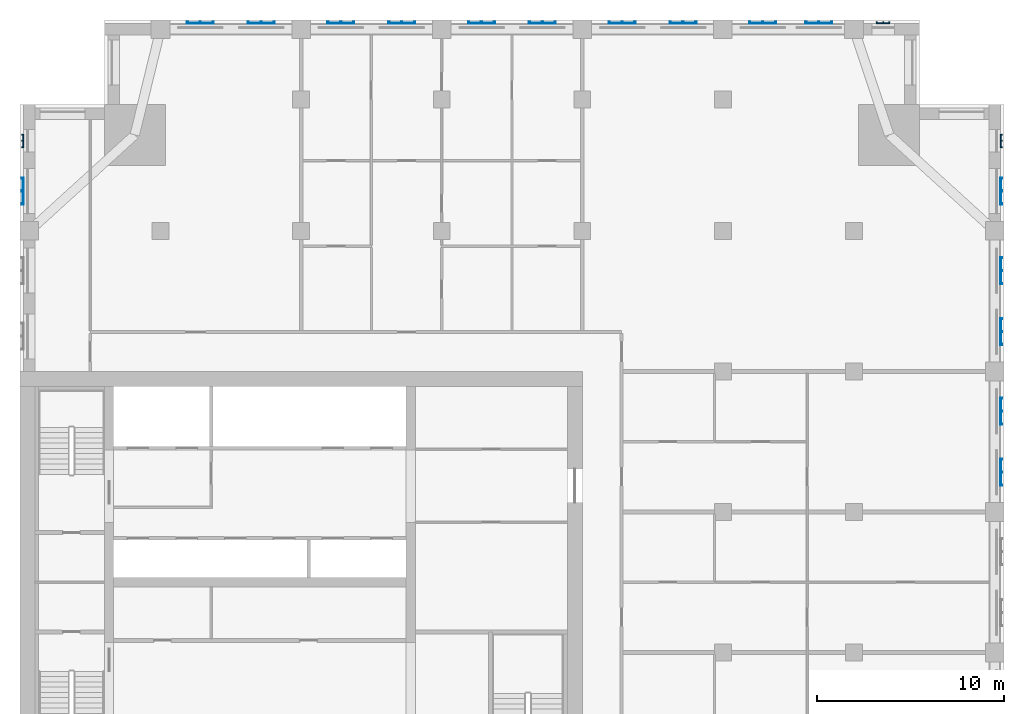
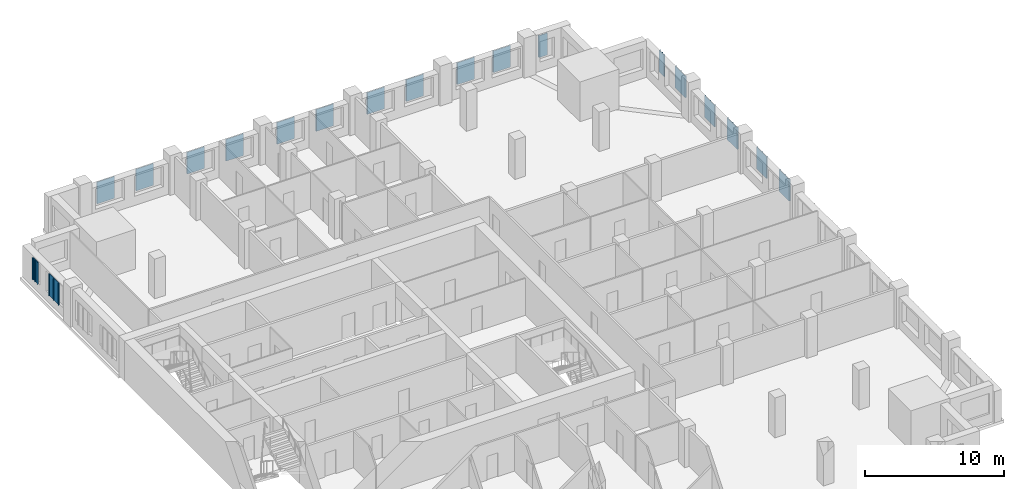
# One storey, part 5 of 14: 19 plates.
"""IFC4 building model written with IfcOpenShell, lengths in metres."""

from ifc_helpers import new_model, si_unit, direction, frame, origin, place, context, subcontext, project, spatial, polyline, outline, extrude, material, layer, layer_set, type_object, element, save


model = new_model("IFC4")

# Units and contexts
model_context = context("Model", 3, precision=1e-05, world=origin(), true_north=direction((0.0, 1.0)))
body_context = subcontext(model_context, "Body", "Model", "MODEL_VIEW")
ifc_project = project(units=[si_unit("LENGTHUNIT", "METRE"), si_unit("AREAUNIT", "SQUARE_METRE"), si_unit("VOLUMEUNIT", "CUBIC_METRE"), si_unit("PLANEANGLEUNIT", "RADIAN"), si_unit("MASSUNIT", "GRAM", prefix="KILO")], contexts=[model_context])

# Site, building, storey
site_placement = place(None, origin())
site = spatial("IfcSite", under=ifc_project, at=site_placement, CompositionType="ELEMENT")
building_placement = place(site_placement, origin())
building = spatial("IfcBuilding", under=site, at=building_placement, Name="Tamorin Gate", CompositionType="ELEMENT")
storey_placement = place(building_placement, frame((0.0, 0.0, 200.199951171875)))
storey = spatial("IfcBuildingStorey", under=building, at=storey_placement, Name="L49", CompositionType="ELEMENT", Elevation=200.199951171875)

# Plates
ifc_material = material(Name="Perforated pale aluminium sheet", Category="aluminium")
ifc_layer_1 = layer(ifc_material, 0.0400390625)
ifc_layer_set_1 = layer_set([ifc_layer_1], Name="Pale metal solar screen 1440")
plate_type_1 = type_object("IfcPlateType", Name="Pale metal solar screen 1440", PredefinedType="SHEET", material=ifc_layer_set_1)
plate_1_placement = place(storey_placement, frame((0.0, 0.0, 0.737548828125)))
element("IfcPlate", 1, at=plate_1_placement, inside=storey, type_object=plate_type_1, Name="Perforated solar screen", PredefinedType="SHEET", context=body_context, shape_type="SweptSolid", body=[
    extrude(outline(polyline([(82.340087890625, 76.405029296875), (82.300048828125, 76.405029296875), (82.300048828125, 76.465087890625), (82.300048828125, 77.094970703125), (82.300048828125, 77.155029296875), (82.300048828125, 77.784912109375), (82.300048828125, 77.844970703125), (82.340087890625, 77.844970703125), (82.39990234375, 77.844970703125), (82.39990234375, 77.784912109375), (82.340087890625, 77.784912109375), (82.340087890625, 77.155029296875), (82.39990234375, 77.155029296875), (82.39990234375, 77.094970703125), (82.340087890625, 77.094970703125), (82.340087890625, 76.465087890625), (82.39990234375, 76.465087890625), (82.39990234375, 76.405029296875), (82.340087890625, 76.405029296875)])), origin(), (0.0, 0.0, 1.0), 1.925048828125),
])
plate_2_placement = place(storey_placement, frame((0.0, 0.0, 0.737548828125)))
element("IfcPlate", 2, at=plate_2_placement, inside=storey, type_object=plate_type_1, Name="Perforated solar screen", PredefinedType="SHEET", context=body_context, shape_type="SweptSolid", body=[
    extrude(outline(polyline([(82.340087890625, 79.655029296875), (82.300048828125, 79.655029296875), (82.300048828125, 79.715087890625), (82.300048828125, 80.344970703125), (82.300048828125, 80.405029296875), (82.300048828125, 81.034912109375), (82.300048828125, 81.094970703125), (82.340087890625, 81.094970703125), (82.39990234375, 81.094970703125), (82.39990234375, 81.034912109375), (82.340087890625, 81.034912109375), (82.340087890625, 80.405029296875), (82.39990234375, 80.405029296875), (82.39990234375, 80.344970703125), (82.340087890625, 80.344970703125), (82.340087890625, 79.715087890625), (82.39990234375, 79.715087890625), (82.39990234375, 79.655029296875), (82.340087890625, 79.655029296875)])), origin(), (0.0, 0.0, 1.0), 1.925048828125),
])
plate_3_placement = place(storey_placement, frame((0.0, 0.0, 0.737548828125)))
element("IfcPlate", 3, at=plate_3_placement, inside=storey, type_object=plate_type_1, Name="Perforated solar screen", PredefinedType="SHEET", context=body_context, shape_type="SweptSolid", body=[
    extrude(outline(polyline([(82.340087890625, 83.905029296875), (82.300048828125, 83.905029296875), (82.300048828125, 83.965087890625), (82.300048828125, 84.594970703125), (82.300048828125, 84.655029296875), (82.300048828125, 85.284912109375), (82.300048828125, 85.344970703125), (82.340087890625, 85.344970703125), (82.39990234375, 85.344970703125), (82.39990234375, 85.284912109375), (82.340087890625, 85.284912109375), (82.340087890625, 84.655029296875), (82.39990234375, 84.655029296875), (82.39990234375, 84.594970703125), (82.340087890625, 84.594970703125), (82.340087890625, 83.965087890625), (82.39990234375, 83.965087890625), (82.39990234375, 83.905029296875), (82.340087890625, 83.905029296875)])), origin(), (0.0, 0.0, 1.0), 1.925048828125),
])
plate_4_placement = place(storey_placement, frame((0.0, 0.0, 0.737548828125)))
element("IfcPlate", 4, at=plate_4_placement, inside=storey, type_object=plate_type_1, Name="Perforated solar screen", PredefinedType="SHEET", context=body_context, shape_type="SweptSolid", body=[
    extrude(outline(polyline([(82.340087890625, 87.155029296875), (82.300048828125, 87.155029296875), (82.300048828125, 87.215087890625), (82.300048828125, 87.844970703125), (82.300048828125, 87.905029296875), (82.300048828125, 88.534912109375), (82.300048828125, 88.594970703125), (82.340087890625, 88.594970703125), (82.39990234375, 88.594970703125), (82.39990234375, 88.534912109375), (82.340087890625, 88.534912109375), (82.340087890625, 87.905029296875), (82.39990234375, 87.905029296875), (82.39990234375, 87.844970703125), (82.340087890625, 87.844970703125), (82.340087890625, 87.215087890625), (82.39990234375, 87.215087890625), (82.39990234375, 87.155029296875), (82.340087890625, 87.155029296875)])), origin(), (0.0, 0.0, 1.0), 1.925048828125),
])
plate_5_placement = place(storey_placement, frame((0.0, 0.0, 0.737548828125)))
element("IfcPlate", 5, at=plate_5_placement, inside=storey, type_object=plate_type_1, Name="Perforated solar screen", PredefinedType="SHEET", context=body_context, shape_type="SweptSolid", body=[
    extrude(outline(polyline([(82.340087890625, 91.405029296875), (82.300048828125, 91.405029296875), (82.300048828125, 91.465087890625), (82.300048828125, 92.094970703125), (82.300048828125, 92.155029296875), (82.300048828125, 92.784912109375), (82.300048828125, 92.844970703125), (82.340087890625, 92.844970703125), (82.39990234375, 92.844970703125), (82.39990234375, 92.784912109375), (82.340087890625, 92.784912109375), (82.340087890625, 92.155029296875), (82.39990234375, 92.155029296875), (82.39990234375, 92.094970703125), (82.340087890625, 92.094970703125), (82.340087890625, 91.465087890625), (82.39990234375, 91.465087890625), (82.39990234375, 91.405029296875), (82.340087890625, 91.405029296875)])), origin(), (0.0, 0.0, 1.0), 1.925048828125),
])
plate_6_placement = place(storey_placement, frame((0.0, 0.0, 0.737548828125)))
element("IfcPlate", 6, at=plate_6_placement, inside=storey, type_object=plate_type_1, Name="Perforated solar screen", PredefinedType="SHEET", context=body_context, shape_type="SweptSolid", body=[
    extrude(outline(polyline([(70.344970703125, 101.090087890625), (70.344970703125, 101.050048828125), (70.284912109375, 101.050048828125), (69.655029296875, 101.050048828125), (69.594970703125, 101.050048828125), (68.965087890625, 101.050048828125), (68.905029296875, 101.050048828125), (68.905029296875, 101.090087890625), (68.905029296875, 101.14990234375), (68.965087890625, 101.14990234375), (68.965087890625, 101.090087890625), (69.594970703125, 101.090087890625), (69.594970703125, 101.14990234375), (69.655029296875, 101.14990234375), (69.655029296875, 101.090087890625), (70.284912109375, 101.090087890625), (70.284912109375, 101.14990234375), (70.344970703125, 101.14990234375), (70.344970703125, 101.090087890625)])), origin(), (0.0, 0.0, 1.0), 1.925048828125),
])
plate_7_placement = place(storey_placement, frame((0.0, 0.0, 0.737548828125)))
element("IfcPlate", 7, at=plate_7_placement, inside=storey, type_object=plate_type_1, Name="Perforated solar screen", PredefinedType="SHEET", context=body_context, shape_type="SweptSolid", body=[
    extrude(outline(polyline([(73.344970703125, 101.090087890625), (73.344970703125, 101.050048828125), (73.284912109375, 101.050048828125), (72.655029296875, 101.050048828125), (72.594970703125, 101.050048828125), (71.965087890625, 101.050048828125), (71.905029296875, 101.050048828125), (71.905029296875, 101.050048828125), (71.905029296875, 101.090087890625), (71.905029296875, 101.090087890625), (71.905029296875, 101.14990234375), (71.965087890625, 101.14990234375), (71.965087890625, 101.090087890625), (72.594970703125, 101.090087890625), (72.594970703125, 101.14990234375), (72.655029296875, 101.14990234375), (72.655029296875, 101.090087890625), (73.284912109375, 101.090087890625), (73.284912109375, 101.14990234375), (73.344970703125, 101.14990234375), (73.344970703125, 101.090087890625)])), origin(), (0.0, 0.0, 1.0), 1.925048828125),
])
plate_8_placement = place(storey_placement, frame((0.0, 0.0, 0.737548828125)))
element("IfcPlate", 8, at=plate_8_placement, inside=storey, type_object=plate_type_1, Name="Perforated solar screen", PredefinedType="SHEET", context=body_context, shape_type="SweptSolid", body=[
    extrude(outline(polyline([(62.844970703125, 101.090087890625), (62.844970703125, 101.050048828125), (62.784912109375, 101.050048828125), (62.155029296875, 101.050048828125), (62.094970703125, 101.050048828125), (61.465087890625, 101.050048828125), (61.405029296875, 101.050048828125), (61.405029296875, 101.090087890625), (61.405029296875, 101.14990234375), (61.465087890625, 101.14990234375), (61.465087890625, 101.090087890625), (62.094970703125, 101.090087890625), (62.094970703125, 101.14990234375), (62.155029296875, 101.14990234375), (62.155029296875, 101.090087890625), (62.784912109375, 101.090087890625), (62.784912109375, 101.14990234375), (62.844970703125, 101.14990234375), (62.844970703125, 101.090087890625)])), origin(), (0.0, 0.0, 1.0), 1.925048828125),
])
plate_9_placement = place(storey_placement, frame((0.0, 0.0, 0.737548828125)))
element("IfcPlate", 9, at=plate_9_placement, inside=storey, type_object=plate_type_1, Name="Perforated solar screen", PredefinedType="SHEET", context=body_context, shape_type="SweptSolid", body=[
    extrude(outline(polyline([(66.094970703125, 101.090087890625), (66.094970703125, 101.050048828125), (66.034912109375, 101.050048828125), (65.405029296875, 101.050048828125), (65.344970703125, 101.050048828125), (64.715087890625, 101.050048828125), (64.655029296875, 101.050048828125), (64.655029296875, 101.090087890625), (64.655029296875, 101.14990234375), (64.715087890625, 101.14990234375), (64.715087890625, 101.090087890625), (65.344970703125, 101.090087890625), (65.344970703125, 101.14990234375), (65.405029296875, 101.14990234375), (65.405029296875, 101.090087890625), (66.034912109375, 101.090087890625), (66.034912109375, 101.14990234375), (66.094970703125, 101.14990234375), (66.094970703125, 101.090087890625)])), origin(), (0.0, 0.0, 1.0), 1.925048828125),
])
plate_10_placement = place(storey_placement, frame((0.0, 0.0, 0.737548828125)))
element("IfcPlate", 10, at=plate_10_placement, inside=storey, type_object=plate_type_1, Name="Perforated solar screen", PredefinedType="SHEET", context=body_context, shape_type="SweptSolid", body=[
    extrude(outline(polyline([(55.344970703125, 101.090087890625), (55.344970703125, 101.050048828125), (55.284912109375, 101.050048828125), (54.655029296875, 101.050048828125), (54.594970703125, 101.050048828125), (53.965087890625, 101.050048828125), (53.905029296875, 101.050048828125), (53.905029296875, 101.090087890625), (53.905029296875, 101.14990234375), (53.965087890625, 101.14990234375), (53.965087890625, 101.090087890625), (54.594970703125, 101.090087890625), (54.594970703125, 101.14990234375), (54.655029296875, 101.14990234375), (54.655029296875, 101.090087890625), (55.284912109375, 101.090087890625), (55.284912109375, 101.14990234375), (55.344970703125, 101.14990234375), (55.344970703125, 101.090087890625)])), origin(), (0.0, 0.0, 1.0), 1.925048828125),
])
plate_11_placement = place(storey_placement, frame((0.0, 0.0, 0.737548828125)))
element("IfcPlate", 11, at=plate_11_placement, inside=storey, type_object=plate_type_1, Name="Perforated solar screen", PredefinedType="SHEET", context=body_context, shape_type="SweptSolid", body=[
    extrude(outline(polyline([(58.594970703125, 101.090087890625), (58.594970703125, 101.050048828125), (58.534912109375, 101.050048828125), (57.905029296875, 101.050048828125), (57.844970703125, 101.050048828125), (57.215087890625, 101.050048828125), (57.155029296875, 101.050048828125), (57.155029296875, 101.090087890625), (57.155029296875, 101.14990234375), (57.215087890625, 101.14990234375), (57.215087890625, 101.090087890625), (57.844970703125, 101.090087890625), (57.844970703125, 101.14990234375), (57.905029296875, 101.14990234375), (57.905029296875, 101.090087890625), (58.534912109375, 101.090087890625), (58.534912109375, 101.14990234375), (58.594970703125, 101.14990234375), (58.594970703125, 101.090087890625)])), origin(), (0.0, 0.0, 1.0), 1.925048828125),
])
plate_12_placement = place(storey_placement, frame((0.0, 0.0, 0.737548828125)))
element("IfcPlate", 12, at=plate_12_placement, inside=storey, type_object=plate_type_1, Name="Perforated solar screen", PredefinedType="SHEET", context=body_context, shape_type="SweptSolid", body=[
    extrude(outline(polyline([(47.844970703125, 101.090087890625), (47.844970703125, 101.050048828125), (47.784912109375, 101.050048828125), (47.155029296875, 101.050048828125), (47.094970703125, 101.050048828125), (46.465087890625, 101.050048828125), (46.405029296875, 101.050048828125), (46.405029296875, 101.090087890625), (46.405029296875, 101.14990234375), (46.465087890625, 101.14990234375), (46.465087890625, 101.090087890625), (47.094970703125, 101.090087890625), (47.094970703125, 101.14990234375), (47.155029296875, 101.14990234375), (47.155029296875, 101.090087890625), (47.784912109375, 101.090087890625), (47.784912109375, 101.14990234375), (47.844970703125, 101.14990234375), (47.844970703125, 101.090087890625)])), origin(), (0.0, 0.0, 1.0), 1.925048828125),
])
plate_13_placement = place(storey_placement, frame((0.0, 0.0, 0.737548828125)))
element("IfcPlate", 13, at=plate_13_placement, inside=storey, type_object=plate_type_1, Name="Perforated solar screen", PredefinedType="SHEET", context=body_context, shape_type="SweptSolid", body=[
    extrude(outline(polyline([(51.094970703125, 101.090087890625), (51.094970703125, 101.050048828125), (51.034912109375, 101.050048828125), (50.405029296875, 101.050048828125), (50.344970703125, 101.050048828125), (49.715087890625, 101.050048828125), (49.655029296875, 101.050048828125), (49.655029296875, 101.090087890625), (49.655029296875, 101.14990234375), (49.715087890625, 101.14990234375), (49.715087890625, 101.090087890625), (50.344970703125, 101.090087890625), (50.344970703125, 101.14990234375), (50.405029296875, 101.14990234375), (50.405029296875, 101.090087890625), (51.034912109375, 101.090087890625), (51.034912109375, 101.14990234375), (51.094970703125, 101.14990234375), (51.094970703125, 101.090087890625)])), origin(), (0.0, 0.0, 1.0), 1.925048828125),
])
plate_14_placement = place(storey_placement, frame((0.0, 0.0, 0.737548828125)))
element("IfcPlate", 14, at=plate_14_placement, inside=storey, type_object=plate_type_1, Name="Perforated solar screen", PredefinedType="SHEET", context=body_context, shape_type="SweptSolid", body=[
    extrude(outline(polyline([(40.344970703125, 101.090087890625), (40.344970703125, 101.050048828125), (40.284912109375, 101.050048828125), (39.655029296875, 101.050048828125), (39.594970703125, 101.050048828125), (38.965087890625, 101.050048828125), (38.905029296875, 101.050048828125), (38.905029296875, 101.090087890625), (38.905029296875, 101.14990234375), (38.965087890625, 101.14990234375), (38.965087890625, 101.090087890625), (39.594970703125, 101.090087890625), (39.594970703125, 101.14990234375), (39.655029296875, 101.14990234375), (39.655029296875, 101.090087890625), (40.284912109375, 101.090087890625), (40.284912109375, 101.14990234375), (40.344970703125, 101.14990234375), (40.344970703125, 101.090087890625)])), origin(), (0.0, 0.0, 1.0), 1.925048828125),
])
plate_15_placement = place(storey_placement, frame((0.0, 0.0, 0.737548828125)))
element("IfcPlate", 15, at=plate_15_placement, inside=storey, type_object=plate_type_1, Name="Perforated solar screen", PredefinedType="SHEET", context=body_context, shape_type="SweptSolid", body=[
    extrude(outline(polyline([(43.594970703125, 101.090087890625), (43.594970703125, 101.050048828125), (43.534912109375, 101.050048828125), (42.905029296875, 101.050048828125), (42.844970703125, 101.050048828125), (42.215087890625, 101.050048828125), (42.155029296875, 101.050048828125), (42.155029296875, 101.090087890625), (42.155029296875, 101.14990234375), (42.215087890625, 101.14990234375), (42.215087890625, 101.090087890625), (42.844970703125, 101.090087890625), (42.844970703125, 101.14990234375), (42.905029296875, 101.14990234375), (42.905029296875, 101.090087890625), (43.534912109375, 101.090087890625), (43.534912109375, 101.14990234375), (43.594970703125, 101.14990234375), (43.594970703125, 101.090087890625)])), origin(), (0.0, 0.0, 1.0), 1.925048828125),
])
plate_16_placement = place(storey_placement, frame((0.0, 0.0, 0.737548828125)))
element("IfcPlate", 16, at=plate_16_placement, inside=storey, type_object=plate_type_1, Name="Perforated solar screen", PredefinedType="SHEET", context=body_context, shape_type="SweptSolid", body=[
    extrude(outline(polyline([(30.159912109375, 92.844970703125), (30.199951171875, 92.844970703125), (30.199951171875, 92.784912109375), (30.199951171875, 92.155029296875), (30.199951171875, 92.094970703125), (30.199951171875, 91.465087890625), (30.199951171875, 91.405029296875), (30.199951171875, 91.405029296875), (30.159912109375, 91.405029296875), (30.159912109375, 91.405029296875), (30.10009765625, 91.405029296875), (30.10009765625, 91.465087890625), (30.159912109375, 91.465087890625), (30.159912109375, 92.094970703125), (30.10009765625, 92.094970703125), (30.10009765625, 92.155029296875), (30.159912109375, 92.155029296875), (30.159912109375, 92.784912109375), (30.10009765625, 92.784912109375), (30.10009765625, 92.844970703125), (30.159912109375, 92.844970703125)])), origin(), (0.0, 0.0, 1.0), 1.925048828125),
])
ifc_layer_2 = layer(ifc_material, 0.0400390625)
ifc_layer_set_2 = layer_set([ifc_layer_2], Name="Pale metal solar screen 720")
plate_type_2 = type_object("IfcPlateType", Name="Pale metal solar screen 720", PredefinedType="SHEET", material=ifc_layer_set_2)
plate_17_placement = place(storey_placement, frame((0.0, 0.0, 0.737548828125)))
element("IfcPlate", 17, at=plate_17_placement, inside=storey, type_object=plate_type_2, Name="Perforated solar screen", PredefinedType="SHEET", context=body_context, shape_type="SweptSolid", body=[
    extrude(outline(polyline([(82.340087890625, 94.43994140625), (82.300048828125, 94.43994140625), (82.300048828125, 94.5), (82.300048828125, 94.77001953125), (82.300048828125, 94.830078125), (82.300048828125, 95.10009765625), (82.300048828125, 95.159912109375), (82.340087890625, 95.159912109375), (82.39990234375, 95.159912109375), (82.39990234375, 95.10009765625), (82.340087890625, 95.10009765625), (82.340087890625, 94.830078125), (82.39990234375, 94.830078125), (82.39990234375, 94.77001953125), (82.340087890625, 94.77001953125), (82.340087890625, 94.5), (82.39990234375, 94.5), (82.39990234375, 94.43994140625), (82.340087890625, 94.43994140625)])), origin(), (0.0, 0.0, 1.0), 1.925048828125),
])
plate_18_placement = place(storey_placement, frame((0.0, 0.0, 0.737548828125)))
element("IfcPlate", 18, at=plate_18_placement, inside=storey, type_object=plate_type_2, Name="Perforated solar screen", PredefinedType="SHEET", context=body_context, shape_type="SweptSolid", body=[
    extrude(outline(polyline([(76.409912109375, 101.090087890625), (76.409912109375, 101.050048828125), (76.35009765625, 101.050048828125), (76.080078125, 101.050048828125), (76.02001953125, 101.050048828125), (75.75, 101.050048828125), (75.68994140625, 101.050048828125), (75.68994140625, 101.090087890625), (75.68994140625, 101.14990234375), (75.75, 101.14990234375), (75.75, 101.090087890625), (76.02001953125, 101.090087890625), (76.02001953125, 101.14990234375), (76.080078125, 101.14990234375), (76.080078125, 101.090087890625), (76.35009765625, 101.090087890625), (76.35009765625, 101.14990234375), (76.409912109375, 101.14990234375), (76.409912109375, 101.090087890625)])), origin(), (0.0, 0.0, 1.0), 1.925048828125),
])
plate_19_placement = place(storey_placement, frame((0.0, 0.0, 0.737548828125)))
element("IfcPlate", 19, at=plate_19_placement, inside=storey, type_object=plate_type_2, Name="Perforated solar screen", PredefinedType="SHEET", context=body_context, shape_type="SweptSolid", body=[
    extrude(outline(polyline([(30.159912109375, 95.159912109375), (30.199951171875, 95.159912109375), (30.199951171875, 95.10009765625), (30.199951171875, 94.830078125), (30.199951171875, 94.77001953125), (30.199951171875, 94.5), (30.199951171875, 94.43994140625), (30.159912109375, 94.43994140625), (30.10009765625, 94.43994140625), (30.10009765625, 94.5), (30.159912109375, 94.5), (30.159912109375, 94.77001953125), (30.10009765625, 94.77001953125), (30.10009765625, 94.830078125), (30.159912109375, 94.830078125), (30.159912109375, 95.10009765625), (30.10009765625, 95.10009765625), (30.10009765625, 95.159912109375), (30.159912109375, 95.159912109375)])), origin(), (0.0, 0.0, 1.0), 1.925048828125),
])

save(model, "model.ifc")
